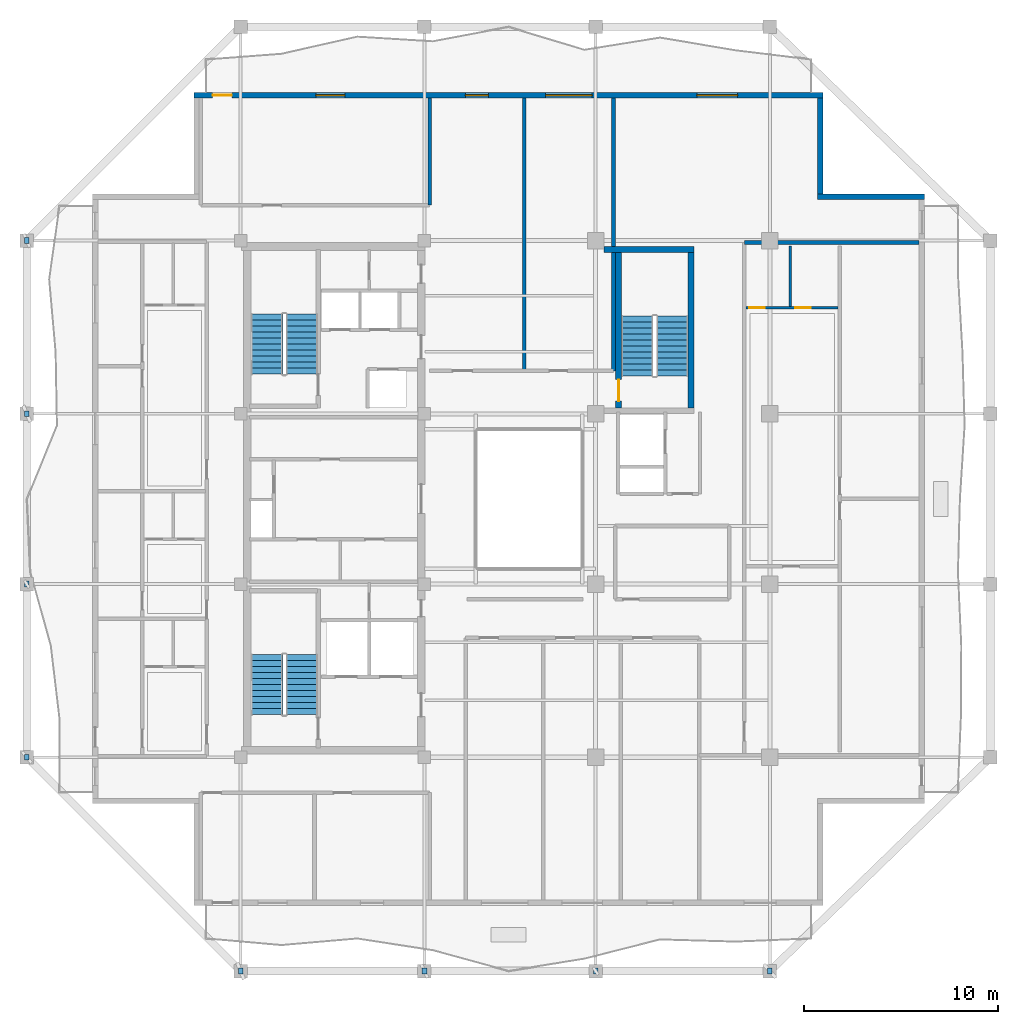
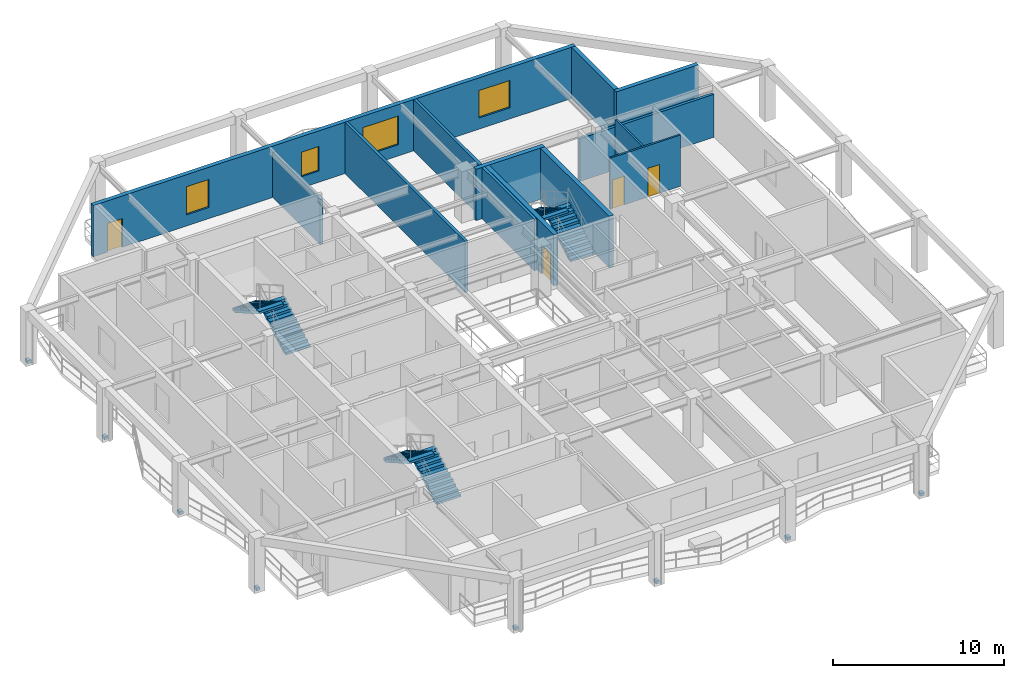
# One storey, part 6 of 11: 12 walls, 8 discrete accessories, 6 stair flights, 4 doors, 4 windows, 8 openings, 3 elements without a shape of their own.
"""IFC4 building model written with IfcOpenShell, lengths in metres."""

import ifcopenshell
import ifcopenshell.guid

model = None  # the IFC model being written
_history = None  # IfcOwnerHistory: only IFC2X3 demands one
_inside = {}  # id of a spatial element -> (the spatial element, [elements in it])
_under = {}  # id of a project, library or spatial element -> (it, [spatial elements below it])
_declared = {}  # id of a project -> (the project, [libraries it declares])
_typed = {}  # id of a type object -> (the type object, [elements of that type])
_made_of = {}  # id of a material, layer set ... -> (it, [elements and type objects made of it])


def new_model(schema):
    """Start an empty IFC model of exactly this schema.

    Asked for "IFC4X3", IfcOpenShell would pick the latest addendum, in which some entities
    have other attributes; the version numbers below select the first issue.
    IFC2X3 requires an IfcOwnerHistory on every rooted entity: one is made here for all.
    """
    global model, _history
    if schema == "IFC4X3":
        model = ifcopenshell.file(schema_version=(4, 3, 0, 0))
    else:
        model = ifcopenshell.file(schema=schema)
    _inside.clear()
    _under.clear()
    _declared.clear()
    _typed.clear()
    _made_of.clear()
    _history = None
    if model.schema == "IFC2X3":
        org = make("IfcOrganization", Name="unknown")
        user = make(
            "IfcPersonAndOrganization",
            ThePerson=make("IfcPerson", FamilyName="unknown"),
            TheOrganization=org,
        )
        app = make(
            "IfcApplication",
            ApplicationDeveloper=org,
            Version="unknown",
            ApplicationFullName="unknown",
            ApplicationIdentifier="unknown",
        )
        _history = make(
            "IfcOwnerHistory",
            OwningUser=user,
            OwningApplication=app,
            ChangeAction="ADDED",
            CreationDate=0,
        )
    return model


def make(cls, **values):
    """One entity of the class cls with the attributes given. An attribute that is None is left unset."""
    return model.create_entity(
        cls, **{name: value for name, value in values.items() if value is not None}
    )


def rooted(cls, **values):
    """An entity with a GlobalId (a new one), such as an element, a storey or a relation."""
    return make(cls, GlobalId=ifcopenshell.guid.new(), OwnerHistory=_history, **values)


def si_unit(unit_type, name, prefix=None):
    """IfcSIUnit, for example si_unit("LENGTHUNIT", "METRE", prefix="MILLI")."""
    return make("IfcSIUnit", UnitType=unit_type, Prefix=prefix, Name=name)


def assignment(units):
    """IfcUnitAssignment: the units of a project."""
    return None if units is None else make("IfcUnitAssignment", Units=units)


def point(xyz):
    """IfcCartesianPoint."""
    return None if xyz is None else make("IfcCartesianPoint", Coordinates=xyz)


def direction(xyz):
    """IfcDirection."""
    return None if xyz is None else make("IfcDirection", DirectionRatios=xyz)


def frame(location, z_axis=None, x_axis=None):
    """IfcAxis2Placement3D, a coordinate frame: its origin and axes. An axis left out is left unset."""
    return make(
        "IfcAxis2Placement3D",
        Location=point(location),
        Axis=direction(z_axis),
        RefDirection=direction(x_axis),
    )


def frame_2d(location, x_axis=None):
    """IfcAxis2Placement2D, a coordinate frame in the plane: its origin and x axis."""
    return make(
        "IfcAxis2Placement2D", Location=point(location), RefDirection=direction(x_axis)
    )


def origin():
    """The frame at (0, 0, 0) with its axes left unset."""
    return frame((0.0, 0.0, 0.0))


def origin_2d():
    """The frame at (0, 0) in the plane with its x axis left unset."""
    return frame_2d((0.0, 0.0))


def place(relative_to, where):
    """IfcLocalPlacement: puts the frame where relative to a parent placement (None: the world)."""
    return make(
        "IfcLocalPlacement", PlacementRelTo=relative_to, RelativePlacement=where
    )


def context(
    kind, dimensions, precision=None, world=None, true_north=None, identifier=None
):
    """IfcGeometricRepresentationContext, for example the 3D "Model" context."""
    return make(
        "IfcGeometricRepresentationContext",
        ContextIdentifier=identifier,
        ContextType=kind,
        CoordinateSpaceDimension=dimensions,
        Precision=precision,
        WorldCoordinateSystem=world,
        TrueNorth=true_north,
    )


def subcontext(parent, identifier, kind, view, scale=None):
    """IfcGeometricRepresentationSubContext, for example "Body" below "Model"."""
    return make(
        "IfcGeometricRepresentationSubContext",
        ContextIdentifier=identifier,
        ContextType=kind,
        ParentContext=parent,
        TargetScale=scale,
        TargetView=view,
    )


def project(units=None, contexts=None):
    """IfcProject with its units and contexts."""
    return rooted(
        "IfcProject",
        Name="project",
        RepresentationContexts=contexts,
        UnitsInContext=assignment(units),
    )


def spatial(cls, under=None, at=None, **own):
    """A site, building, storey or space (cls), placed at a placement, below another one or the project."""
    s = rooted(cls, ObjectPlacement=at, **own)
    if under is not None:
        _under.setdefault(under.id(), (under, []))[1].append(s)
    return s


def polyline(points):
    """IfcPolyline through the points."""
    return make("IfcPolyline", Points=[point(p) for p in points])


def profile(cls, at=None, kind="AREA", **sizes):
    """A parametric profile (cls). Its sizes go by their IFC names, for example OverallWidth=200.0."""
    return make(cls, ProfileType=kind, Position=at, **sizes)


def rectangle(**sizes):
    """IfcRectangleProfileDef."""
    return profile("IfcRectangleProfileDef", **sizes)


def outline(outer, holes=None, kind="AREA"):
    """IfcArbitraryClosedProfileDef: a profile drawn as a closed curve; with holes, ...WithVoids."""
    if holes is None:
        return make("IfcArbitraryClosedProfileDef", ProfileType=kind, OuterCurve=outer)
    return make(
        "IfcArbitraryProfileDefWithVoids",
        ProfileType=kind,
        OuterCurve=outer,
        InnerCurves=holes,
    )


def extrude(swept, where, along, depth):
    """IfcExtrudedAreaSolid: the profile swept, set in the frame where, extruded along a direction by depth."""
    return make(
        "IfcExtrudedAreaSolid",
        SweptArea=swept,
        Position=where,
        ExtrudedDirection=direction(along),
        Depth=depth,
    )


def shape(context_of_items, identifier, shape_type, items):
    """IfcShapeRepresentation: the items that make up one representation, for example the "Body"."""
    return make(
        "IfcShapeRepresentation",
        ContextOfItems=context_of_items,
        RepresentationIdentifier=identifier,
        RepresentationType=shape_type,
        Items=items,
    )


def material(Name=None, Category=None):
    """IfcMaterial."""
    return make("IfcMaterial", Name=Name, Category=Category)


def layer(
    of_material, thickness, ventilated=None, Name=None, Category=None, Priority=None
):
    """IfcMaterialLayer: one layer of a wall or slab, of a material (None: an air gap)."""
    return make(
        "IfcMaterialLayer",
        Material=of_material,
        LayerThickness=thickness,
        IsVentilated=ventilated,
        Name=Name,
        Category=Category,
        Priority=Priority,
    )


def layer_set(layers, Name=None):
    """IfcMaterialLayerSet."""
    return make("IfcMaterialLayerSet", MaterialLayers=layers, LayerSetName=Name)


def made_of(thing, what):
    """Note that an element or type object is made of a material, layer set ...; save() writes the relation."""
    if what is not None:
        _made_of.setdefault(what.id(), (what, []))[1].append(thing)
    return thing


def type_object(cls, material=None, **own):
    """A type object (cls), such as IfcWallType, which elements share."""
    return made_of(rooted(cls, **own), material)


def element(
    cls,
    number,
    at=None,
    inside=None,
    cuts=None,
    type_object=None,
    material=None,
    context=None,
    identifier="Body",
    shape_type=None,
    held_by="IfcProductDefinitionShape",
    body=None,
    shapes=None,
    **own,
):
    """One element of the class cls, such as IfcWall. Its Tag is "e" and its number.

    at: its placement. inside: the storey or other place that contains it. cuts: it is an
    opening in that element (IfcRelVoidsElement). A single representation is given by context,
    identifier, shape_type and body (its items); several are given by shapes. held_by: the class
    of the entity that holds the representations. save() writes the other relations.
    """
    e = rooted(cls, Tag="e%d" % number, ObjectPlacement=at, **own)
    if body is not None:
        shapes = [shape(context, identifier, shape_type, body)]
    if shapes is not None:
        e.Representation = make(held_by, Representations=shapes)
    if inside is not None:
        _inside.setdefault(inside.id(), (inside, []))[1].append(e)
    if cuts is not None:
        rooted(
            "IfcRelVoidsElement", RelatingBuildingElement=cuts, RelatedOpeningElement=e
        )
    if type_object is not None:
        _typed.setdefault(type_object.id(), (type_object, []))[1].append(e)
    return made_of(e, material)


def fill(opening, filler):
    """IfcRelFillsElement: the door or window that sits in an opening."""
    return rooted(
        "IfcRelFillsElement",
        RelatingOpeningElement=opening,
        RelatedBuildingElement=filler,
    )


def aggregate(whole, parts):
    """IfcRelAggregates: a whole, such as a stair, and the parts it consists of."""
    return rooted("IfcRelAggregates", RelatingObject=whole, RelatedObjects=parts)


def save(model, path):
    """Write the relations noted so far, then the file.

    IfcRelAggregates (storeys below a building ...), IfcRelContainedInSpatialStructure (elements
    in a storey), IfcRelDefinesByType, IfcRelAssociatesMaterial and IfcRelDeclares: one each for
    every whole, place, type object, material and project.
    """
    for whole, parts in _under.values():
        aggregate(whole, parts)
    for where, things in _inside.values():
        rooted(
            "IfcRelContainedInSpatialStructure",
            RelatedElements=things,
            RelatingStructure=where,
        )
    for kind, things in _typed.values():
        rooted("IfcRelDefinesByType", RelatedObjects=things, RelatingType=kind)
    for what, things in _made_of.values():
        rooted("IfcRelAssociatesMaterial", RelatedObjects=things, RelatingMaterial=what)
    for by, libraries in _declared.values():
        rooted("IfcRelDeclares", RelatingContext=by, RelatedDefinitions=libraries)
    model.write(path)


model = new_model("IFC4")

# Units and contexts
model_context = context("Model", 3, precision=1e-05, world=origin(), true_north=direction((0.0, 1.0)))
body_context = subcontext(model_context, "Body", "Model", "MODEL_VIEW")
ifc_project = project(units=[si_unit("LENGTHUNIT", "METRE"), si_unit("AREAUNIT", "SQUARE_METRE"), si_unit("VOLUMEUNIT", "CUBIC_METRE"), si_unit("PLANEANGLEUNIT", "RADIAN"), si_unit("MASSUNIT", "GRAM", prefix="KILO")], contexts=[model_context])

# Site, building, storey
site_placement = place(None, origin())
site = spatial("IfcSite", under=ifc_project, at=site_placement, CompositionType="ELEMENT")
building_placement = place(site_placement, origin())
building = spatial("IfcBuilding", under=site, at=building_placement, Name="Kundavana Baori Tower", CompositionType="ELEMENT")
storey_placement = place(building_placement, frame((0.0, 0.0, 260.89990234375)))
storey = spatial("IfcBuildingStorey", under=building, at=storey_placement, Name="L64", CompositionType="ELEMENT", Elevation=260.89990234375)

# Walls
ifc_material_1 = material(Name="Red-Buff Dholpur Sandstone Cladding on Concrete C40/50", Category="masonry")
ifc_layer_1 = layer(ifc_material_1, 0.280029296875, Name="WL-EXT-SAND-280")
ifc_layer_set_1 = layer_set([ifc_layer_1], Name="Red-Buff Dholpur Sandstone Cladding on Concrete C40/50")
wall_type_1 = type_object("IfcWallType", Name="WL-EXT-SAND-280", PredefinedType="STANDARD", material=ifc_layer_set_1)
wall_1_placement = place(storey_placement, frame((50.800048828125, 44.2099609375, 0.0), z_axis=(0.0, 0.0, 1.0), x_axis=(-1.0, 0.0, 0.0)))
element("IfcWall", 1, at=wall_1_placement, inside=storey, type_object=wall_type_1, Name="L64 Exterior Insulated Facade Wall 05", PredefinedType="STANDARD", context=body_context, shape_type="SweptSolid", body=[
    extrude(rectangle(XDim=5.530029296875, YDim=0.280029296875, at=frame_2d((2.76513671875, 0.0))), origin(), (0.0, 0.0, 1.0), 3.66015625),
])
wall_2_placement = place(storey_placement, frame((45.409912109375, 44.35009765625, 0.0), z_axis=(0.0, 0.0, 1.0), x_axis=(0.0, 1.0, 0.0)))
element("IfcWall", 2, at=wall_2_placement, inside=storey, type_object=wall_type_1, Name="L64 Exterior Insulated Facade Wall 06", PredefinedType="STANDARD", context=body_context, shape_type="SweptSolid", body=[
    extrude(rectangle(XDim=4.969970703125, YDim=0.280029296875, at=frame_2d((2.48486328125, 0.0))), origin(), (0.0, 0.0, 1.0), 3.66015625),
])

# Wall, openings, door, windows
wall_3_placement = place(storey_placement, frame((45.550048828125, 49.4599609375, 0.0), z_axis=(0.0, 0.0, 1.0), x_axis=(-1.0, 0.0, 0.0)))
wall_3 = element("IfcWall", 3, at=wall_3_placement, inside=storey, type_object=wall_type_1, Name="L64 Exterior Insulated Facade Wall 07", PredefinedType="STANDARD", context=body_context, shape_type="SweptSolid", body=[
    extrude(rectangle(XDim=32.5, YDim=0.280029296875, at=frame_2d((16.25, 0.0))), origin(), (0.0, 0.0, 1.0), 3.66015625),
])
opening_1_placement = place(wall_3_placement, frame((30.550048828125, 0.0, 0.0)))
opening_1 = element("IfcOpeningElement", 4, at=opening_1_placement, cuts=wall_3, Name="Opening BD-1", PredefinedType="OPENING", context=body_context, shape_type="SweptSolid", body=[
    extrude(rectangle(XDim=1.0, YDim=2.050048828125, at=frame_2d((0.5, 1.02490234375))), frame((0.0, 0.14990234375, 0.0), z_axis=(0.0, -1.0, 0.0), x_axis=(1.0, 0.0, 0.0)), (0.0, 0.0, 1.0), 0.300048828125),
])
opening_2_placement = place(wall_3_placement, frame((24.715087890625, 0.0, 0.800048828125)))
opening_2 = element("IfcOpeningElement", 5, at=opening_2_placement, cuts=wall_3, Name="Opening W-02", PredefinedType="OPENING", context=body_context, shape_type="SweptSolid", body=[
    extrude(rectangle(XDim=1.5, YDim=2.0, at=frame_2d((0.75, 1.0))), frame((0.0, 0.14990234375, 0.0), z_axis=(0.0, -1.0, 0.0), x_axis=(1.0, 0.0, 0.0)), (0.0, 0.0, 1.0), 0.300048828125),
])
opening_3_placement = place(wall_3_placement, frame((17.2900390625, 0.0, 0.800048828125)))
opening_3 = element("IfcOpeningElement", 6, at=opening_3_placement, cuts=wall_3, Name="Opening W-03", PredefinedType="OPENING", context=body_context, shape_type="SweptSolid", body=[
    extrude(rectangle(XDim=1.199951171875, YDim=1.75, at=frame_2d((0.60009765625, 0.875))), frame((0.0, 0.14990234375, 0.0), z_axis=(0.0, -1.0, 0.0), x_axis=(1.0, 0.0, 0.0)), (0.0, 0.0, 1.0), 0.300048828125),
])
opening_4_placement = place(wall_3_placement, frame((11.93994140625, 0.0, 0.800048828125)))
opening_4 = element("IfcOpeningElement", 7, at=opening_4_placement, cuts=wall_3, Name="Opening W-04", PredefinedType="OPENING", context=body_context, shape_type="SweptSolid", body=[
    extrude(rectangle(XDim=2.39990234375, YDim=2.050048828125, at=frame_2d((1.199951171875, 1.02490234375))), frame((0.0, 0.14990234375, 0.0), z_axis=(0.0, -1.0, 0.0), x_axis=(1.0, 0.0, 0.0)), (0.0, 0.0, 1.0), 0.300048828125),
])
opening_5_placement = place(wall_3_placement, frame((4.419921875, 0.0, 0.800048828125)))
opening_5 = element("IfcOpeningElement", 8, at=opening_5_placement, cuts=wall_3, Name="Opening W-05", PredefinedType="OPENING", context=body_context, shape_type="SweptSolid", body=[
    extrude(rectangle(XDim=2.10009765625, YDim=1.949951171875, at=frame_2d((1.050048828125, 0.97509765625))), frame((0.0, 0.14990234375, 0.0), z_axis=(0.0, -1.0, 0.0), x_axis=(1.0, 0.0, 0.0)), (0.0, 0.0, 1.0), 0.300048828125),
])
ifc_material_2 = material(Name="Architectural Patinated Bronze Metalwork")
door_type_1 = type_object("IfcDoorType", Name="DR-EXT-LOG-1000", OperationType="NOTDEFINED", PredefinedType="DOOR", material=ifc_material_2)
door_1_placement = place(opening_1_placement, frame((1.0, 0.0, 0.0), z_axis=(0.0, 0.0, 1.0), x_axis=(-1.0, 0.0, 0.0)))
door_1 = element("IfcDoor", 9, at=door_1_placement, inside=storey, type_object=door_type_1, Name="L64 Loggia Balcony Access Door N", OperationType="SINGLE_SWING_LEFT", OverallHeight=2.050048828125, OverallWidth=1.0, PredefinedType="DOOR", context=body_context, shape_type="SweptSolid", body=[
    extrude(rectangle(XDim=1.0, YDim=2.050048828125, at=frame_2d((0.5, 1.02490234375))), frame((0.0, 0.02490234375, 0.0), z_axis=(0.0, -1.0, 0.0), x_axis=(1.0, 0.0, 0.0)), (0.0, 0.0, 1.0), 0.050048828125),
])
fill(opening_1, door_1)
ifc_material_3 = material(Name="Double-Glazed Solar-Control Low-E Insulated Glass", Category="glass")
window_type_1 = type_object("IfcWindowType", Name="WIN-LOG-1200x1750", PartitioningType="SINGLE_PANEL", PredefinedType="WINDOW", material=ifc_material_3)
window_1_placement = place(opening_3_placement, origin())
window_1 = element("IfcWindow", 10, at=window_1_placement, inside=storey, type_object=window_type_1, Name="L64 Recessed Loggia Window N-2", OverallHeight=1.75, OverallWidth=1.199951171875, PartitioningType="SINGLE_PANEL", PredefinedType="WINDOW", context=body_context, shape_type="SweptSolid", body=[
    extrude(rectangle(XDim=1.199951171875, YDim=1.75, at=frame_2d((0.60009765625, 0.875))), frame((0.0, 0.030029296875, 0.0), z_axis=(0.0, -1.0, 0.0), x_axis=(1.0, 0.0, 0.0)), (0.0, 0.0, 1.0), 0.06005859375),
])
fill(opening_3, window_1)
ifc_material_4 = material(Name="Double-Glazed Solar-Control Low-E Insulated Glass", Category="glass")
window_type_2 = type_object("IfcWindowType", Name="WIN-LOG-1500x2000", PartitioningType="SINGLE_PANEL", PredefinedType="WINDOW", material=ifc_material_4)
window_2_placement = place(opening_2_placement, origin())
window_2 = element("IfcWindow", 11, at=window_2_placement, inside=storey, type_object=window_type_2, Name="L64 Recessed Loggia Window N-1", OverallHeight=2.0, OverallWidth=1.5, PartitioningType="SINGLE_PANEL", PredefinedType="WINDOW", context=body_context, shape_type="SweptSolid", body=[
    extrude(rectangle(XDim=1.5, YDim=2.0, at=frame_2d((0.75, 1.0))), frame((0.0, 0.030029296875, 0.0), z_axis=(0.0, -1.0, 0.0), x_axis=(1.0, 0.0, 0.0)), (0.0, 0.0, 1.0), 0.06005859375),
])
fill(opening_2, window_2)
ifc_material_5 = material(Name="Double-Glazed Solar-Control Low-E Insulated Glass", Category="glass")
window_type_3 = type_object("IfcWindowType", Name="WIN-LOG-2100x1950", PartitioningType="SINGLE_PANEL", PredefinedType="WINDOW", material=ifc_material_5)
window_3_placement = place(opening_5_placement, origin())
window_3 = element("IfcWindow", 12, at=window_3_placement, inside=storey, type_object=window_type_3, Name="L64 Recessed Loggia Window N-4", OverallHeight=1.949951171875, OverallWidth=2.10009765625, PartitioningType="SINGLE_PANEL", PredefinedType="WINDOW", context=body_context, shape_type="SweptSolid", body=[
    extrude(rectangle(XDim=2.10009765625, YDim=1.949951171875, at=frame_2d((1.050048828125, 0.97509765625))), frame((0.0, 0.030029296875, 0.0), z_axis=(0.0, -1.0, 0.0), x_axis=(1.0, 0.0, 0.0)), (0.0, 0.0, 1.0), 0.06005859375),
])
fill(opening_5, window_3)
ifc_material_6 = material(Name="Double-Glazed Solar-Control Low-E Insulated Glass", Category="glass")
window_type_4 = type_object("IfcWindowType", Name="WIN-LOG-2400x2050", PartitioningType="SINGLE_PANEL", PredefinedType="WINDOW", material=ifc_material_6)
window_4_placement = place(opening_4_placement, origin())
window_4 = element("IfcWindow", 13, at=window_4_placement, inside=storey, type_object=window_type_4, Name="L64 Recessed Loggia Window N-3", OverallHeight=2.050048828125, OverallWidth=2.39990234375, PartitioningType="SINGLE_PANEL", PredefinedType="WINDOW", context=body_context, shape_type="SweptSolid", body=[
    extrude(rectangle(XDim=2.39990234375, YDim=2.050048828125, at=frame_2d((1.199951171875, 1.02490234375))), frame((0.0, 0.030029296875, 0.0), z_axis=(0.0, -1.0, 0.0), x_axis=(1.0, 0.0, 0.0)), (0.0, 0.0, 1.0), 0.06005859375),
])
fill(opening_4, window_4)

# Walls
ifc_material_7 = material(Name="Autoclaved Aerated Concrete Blockwork Masonry", Category="masonry")
ifc_layer_2 = layer(ifc_material_7, 0.18505859375, Name="WL-PART-180")
ifc_layer_set_2 = layer_set([ifc_layer_2], Name="Autoclaved Aerated Concrete Blockwork Masonry")
wall_type_2 = type_object("IfcWallType", Name="WL-PART-180", PredefinedType="SOLIDWALL", material=ifc_layer_set_2)
wall_4_placement = place(storey_placement, frame((25.219970703125, 43.780029296875, 0.0), z_axis=(0.0, 0.0, 1.0), x_axis=(0.0, 1.0, 0.0)))
element("IfcWall", 14, at=wall_4_placement, inside=storey, type_object=wall_type_2, Name="WL-L64-RNCE", PredefinedType="SOLIDWALL", context=body_context, shape_type="SweptSolid", body=[
    extrude(rectangle(XDim=5.5400390625, YDim=0.18505859375, at=frame_2d((2.77001953125, 0.0))), origin(), (0.0, 0.0, 1.0), 3.210205078125),
])
wall_5_placement = place(storey_placement, frame((34.719970703125, 35.219970703125, 0.0), z_axis=(0.0, 0.0, 1.0), x_axis=(0.0, 1.0, 0.0)))
element("IfcWall", 15, at=wall_5_placement, inside=storey, type_object=wall_type_2, Name="WL-L64-RNEND", PredefinedType="SOLIDWALL", context=body_context, shape_type="SweptSolid", body=[
    extrude(rectangle(XDim=14.10009765625, YDim=0.18505859375, at=frame_2d((7.050048828125, 0.0))), origin(), (0.0, 0.0, 1.0), 3.66015625),
])
wall_6_placement = place(storey_placement, frame((30.10009765625, 35.300048828125, 0.0), z_axis=(0.0, 0.0, 1.0), x_axis=(0.0, 1.0, 0.0)))
element("IfcWall", 16, at=wall_6_placement, inside=storey, type_object=wall_type_2, Name="WL-L64-RND1", PredefinedType="SOLIDWALL", context=body_context, shape_type="SweptSolid", body=[
    extrude(rectangle(XDim=14.02001953125, YDim=0.18505859375, at=frame_2d((7.010009765625, 0.0))), origin(), (0.0, 0.0, 1.0), 3.66015625),
])
wall_7_placement = place(storey_placement, frame((41.47998046875, 41.85009765625, 0.0), z_axis=(0.0, 0.0, 1.0), x_axis=(1.0, 0.0, 0.0)))
element("IfcWall", 17, at=wall_7_placement, inside=storey, type_object=wall_type_2, Name="WL-L64-REN", PredefinedType="SOLIDWALL", context=body_context, shape_type="SweptSolid", body=[
    extrude(rectangle(XDim=9.0400390625, YDim=0.18505859375, at=frame_2d((4.52001953125, 0.0))), origin(), (0.0, 0.0, 1.0), 3.06005859375),
])
ifc_material_8 = material(Name="Concrete C50/60", Category="concrete")
ifc_layer_3 = layer(ifc_material_8, 0.300048828125, Name="WL-ST3-300")
ifc_layer_set_3 = layer_set([ifc_layer_3], Name="Concrete C50/60")
wall_type_3 = type_object("IfcWallType", Name="WL-ST3-300", PredefinedType="SHEAR", material=ifc_layer_set_3)
wall_8_placement = place(storey_placement, frame((34.22509765625, 41.489990234375, 0.0), z_axis=(0.0, 0.0, 1.0), x_axis=(1.0, 0.0, 0.0)))
element("IfcWall", 18, at=wall_8_placement, inside=storey, type_object=wall_type_3, Name="L64 Stair ST3 North Shear Wall", PredefinedType="SHEAR", context=body_context, shape_type="SweptSolid", body=[
    extrude(rectangle(XDim=4.64501953125, YDim=0.300048828125, at=frame_2d((2.322509765625, 0.0))), origin(), (0.0, 0.0, 1.0), 3.66015625),
])

# Wall, opening, door
wall_9_placement = place(storey_placement, frame((34.97998046875, 33.31005859375, 0.0), z_axis=(0.0, 0.0, 1.0), x_axis=(0.0, 1.0, 0.0)))
wall_9 = element("IfcWall", 19, at=wall_9_placement, inside=storey, type_object=wall_type_3, Name="L64 Stair ST3 West Shear Wall", PredefinedType="SHEAR", context=body_context, shape_type="SweptSolid", body=[
    extrude(rectangle(XDim=8.030029296875, YDim=0.300048828125, at=frame_2d((4.01513671875, 0.0))), origin(), (0.0, 0.0, 1.0), 3.66015625),
])
opening_6_placement = place(wall_9_placement, frame((0.35009765625, 0.0, 0.0)))
opening_6 = element("IfcOpeningElement", 20, at=opening_6_placement, cuts=wall_9, Name="Opening FD-110", PredefinedType="OPENING", context=body_context, shape_type="SweptSolid", body=[
    extrude(rectangle(XDim=1.10009765625, YDim=2.10009765625, at=frame_2d((0.550048828125, 1.050048828125))), frame((0.0, 0.16015625, 0.0), z_axis=(0.0, -1.0, 0.0), x_axis=(1.0, 0.0, 0.0)), (0.0, 0.0, 1.0), 0.320068359375),
])
ifc_material_9 = material(Name="Galvanised Steel Fire-Rated Door Leaf", Category="steel")
door_type_2 = type_object("IfcDoorType", Name="DR-FD120-1100", OperationType="NOTDEFINED", PredefinedType="DOOR", material=ifc_material_9)
door_2_placement = place(opening_6_placement, origin())
door_2 = element("IfcDoor", 21, at=door_2_placement, inside=storey, type_object=door_type_2, Name="DR-L64-ST3-W", OperationType="SINGLE_SWING_LEFT", OverallHeight=2.10009765625, OverallWidth=1.10009765625, PredefinedType="DOOR", context=body_context, shape_type="SweptSolid", body=[
    extrude(rectangle(XDim=1.10009765625, YDim=2.10009765625, at=frame_2d((0.550048828125, 1.050048828125))), frame((0.0, 0.02490234375, 0.0), z_axis=(0.0, -1.0, 0.0), x_axis=(1.0, 0.0, 0.0)), (0.0, 0.0, 1.0), 0.050048828125),
])
fill(opening_6, door_2)

# Wall
wall_10_placement = place(storey_placement, frame((38.719970703125, 33.31005859375, 0.0), z_axis=(0.0, 0.0, 1.0), x_axis=(0.0, 1.0, 0.0)))
element("IfcWall", 22, at=wall_10_placement, inside=storey, type_object=wall_type_3, Name="L64 Stair ST3 East Shear Wall", PredefinedType="SHEAR", context=body_context, shape_type="SweptSolid", body=[
    extrude(rectangle(XDim=8.030029296875, YDim=0.300048828125, at=frame_2d((4.01513671875, 0.0))), origin(), (0.0, 0.0, 1.0), 3.66015625),
])

# Wall, openings, doors
ifc_material_10 = material(Name="Autoclaved Aerated Concrete Blockwork Masonry", Category="masonry")
ifc_layer_4 = layer(ifc_material_10, 0.125, Name="WL-WET-120")
ifc_layer_set_4 = layer_set([ifc_layer_4], Name="Autoclaved Aerated Concrete Blockwork Masonry")
wall_type_4 = type_object("IfcWallType", Name="WL-WET-120", PredefinedType="PLUMBINGWALL", material=ifc_layer_set_4)
wall_11_placement = place(storey_placement, frame((41.580078125, 38.469970703125, 0.0), z_axis=(0.0, 0.0, 1.0), x_axis=(1.0, 0.0, 0.0)))
wall_11 = element("IfcWall", 23, at=wall_11_placement, inside=storey, type_object=wall_type_4, Name="WL-L64-E1-KH", PredefinedType="PLUMBINGWALL", context=body_context, shape_type="SweptSolid", body=[
    extrude(rectangle(XDim=4.747802734375, YDim=0.125, at=frame_2d((2.3740234375, 0.0))), origin(), (0.0, 0.0, 1.0), 3.66015625),
])
opening_7_placement = place(wall_11_placement, frame((0.159912109375, 0.0, 0.0)))
opening_7 = element("IfcOpeningElement", 24, at=opening_7_placement, cuts=wall_11, Name="Opening WD-080", PredefinedType="OPENING", context=body_context, shape_type="SweptSolid", body=[
    extrude(rectangle(XDim=0.800048828125, YDim=2.050048828125, at=frame_2d((0.39990234375, 1.02490234375))), frame((0.0, 0.072509765625, 0.0), z_axis=(0.0, -1.0, 0.0), x_axis=(1.0, 0.0, 0.0)), (0.0, 0.0, 1.0), 0.14501953125),
])
opening_8_placement = place(wall_11_placement, frame((2.5390625, 0.0, 0.0)))
opening_8 = element("IfcOpeningElement", 25, at=opening_8_placement, cuts=wall_11, Name="Opening WD-080", PredefinedType="OPENING", context=body_context, shape_type="SweptSolid", body=[
    extrude(rectangle(XDim=0.800048828125, YDim=2.050048828125, at=frame_2d((0.39990234375, 1.02490234375))), frame((0.0, 0.072509765625, 0.0), z_axis=(0.0, -1.0, 0.0), x_axis=(1.0, 0.0, 0.0)), (0.0, 0.0, 1.0), 0.14501953125),
])
ifc_material_11 = material(Name="Engineered Teak Solid-Core Timber Veneer", Category="wood")
door_type_3 = type_object("IfcDoorType", Name="DR-WET-800", OperationType="NOTDEFINED", PredefinedType="DOOR", material=ifc_material_11)
door_3_placement = place(opening_7_placement, origin())
door_3 = element("IfcDoor", 26, at=door_3_placement, inside=storey, type_object=door_type_3, Name="DR-L64-E1-BT", OperationType="SINGLE_SWING_LEFT", OverallHeight=2.050048828125, OverallWidth=0.800048828125, PredefinedType="DOOR", context=body_context, shape_type="SweptSolid", body=[
    extrude(rectangle(XDim=0.800048828125, YDim=2.050048828125, at=frame_2d((0.39990234375, 1.02490234375))), frame((0.0, 0.02490234375, 0.0), z_axis=(0.0, -1.0, 0.0), x_axis=(1.0, 0.0, 0.0)), (0.0, 0.0, 1.0), 0.050048828125),
])
fill(opening_7, door_3)
door_4_placement = place(opening_8_placement, origin())
door_4 = element("IfcDoor", 27, at=door_4_placement, inside=storey, type_object=door_type_3, Name="DR-L64-E1-KT", OperationType="SINGLE_SWING_RIGHT", OverallHeight=2.050048828125, OverallWidth=0.800048828125, PredefinedType="DOOR", context=body_context, shape_type="SweptSolid", body=[
    extrude(rectangle(XDim=0.800048828125, YDim=2.050048828125, at=frame_2d((0.39990234375, 1.02490234375))), frame((0.0, 0.02490234375, 0.0), z_axis=(0.0, -1.0, 0.0), x_axis=(1.0, 0.0, 0.0)), (0.0, 0.0, 1.0), 0.050048828125),
])
fill(opening_8, door_4)

# Wall
wall_12_placement = place(storey_placement, frame((43.85888671875, 38.550048828125, 0.0), z_axis=(0.0, 0.0, 1.0), x_axis=(0.0, 1.0, 0.0)))
element("IfcWall", 28, at=wall_12_placement, inside=storey, type_object=wall_type_4, Name="WL-L64-E1-BV", PredefinedType="PLUMBINGWALL", context=body_context, shape_type="SweptSolid", body=[
    extrude(rectangle(XDim=3.119873046875, YDim=0.125, at=frame_2d((1.56005859375, 0.0))), origin(), (0.0, 0.0, 1.0), 3.66015625),
])

# Stair, stair flights
ifc_material_12 = material(Name="Concrete C40/50", Category="concrete")
stair_type = type_object("IfcStairType", Name="STR-DOG-1650", PredefinedType="HALF_TURN_STAIR", material=ifc_material_12)
stair_1_placement = place(storey_placement, origin())
stair_1 = element("IfcStair", 29, at=stair_1_placement, inside=storey, type_object=stair_type, Name="L64 Protected Exit Stair ST1", PredefinedType="HALF_TURN_STAIR")
ifc_material_13 = material(Name="Concrete C40/50", Category="concrete")
stair_flight_type = type_object("IfcStairFlightType", Name="SFL-RC-1650", PredefinedType="STRAIGHT", material=ifc_material_13)
stair_flight_1_placement = place(storey_placement, frame((18.614990234375, 17.449951171875, 0.0), z_axis=(0.0, 0.0, 1.0), x_axis=(0.0, 1.0, 0.0)))
stair_flight_1 = element("IfcStairFlight", 30, at=stair_flight_1_placement, type_object=stair_flight_type, Name="ST1 flight 1", NumberOfRisers=11, NumberOfTreads=10, PredefinedType="STRAIGHT", RiserHeight=0.177272727, TreadLength=0.31, context=body_context, shape_type="SweptSolid", body=[
    extrude(outline(polyline([(0.0, 0.0), (0.0, 0.17724609375), (0.31005859375, 0.17724609375), (0.31005859375, 0.3544921875), (0.6201171875, 0.3544921875), (0.6201171875, 0.53173828125), (0.929931640625, 0.53173828125), (0.929931640625, 0.708984375), (1.239990234375, 0.708984375), (1.239990234375, 0.886474609375), (1.550048828125, 0.886474609375), (1.550048828125, 1.063720703125), (1.860107421875, 1.063720703125), (1.860107421875, 1.240966796875), (2.169921875, 1.240966796875), (2.169921875, 1.418212890625), (2.47998046875, 1.418212890625), (2.47998046875, 1.595458984375), (2.7900390625, 1.595458984375), (2.7900390625, 1.772705078125), (3.10009765625, 1.772705078125), (3.10009765625, 1.949951171875), (3.10009765625, 1.60009765625), (0.302001953125, 0.0), (0.0, 0.0)])), frame((0.0, 0.824951171875, 0.0), z_axis=(0.0, -1.0, 0.0), x_axis=(1.0, 0.0, 0.0)), (0.0, 0.0, 1.0), 1.64990234375),
])
stair_flight_2_placement = place(storey_placement, frame((16.804931640625, 20.550048828125, 1.9501953125), z_axis=(0.0, 0.0, 1.0), x_axis=(0.0, -1.0, 0.0)))
stair_flight_2 = element("IfcStairFlight", 31, at=stair_flight_2_placement, type_object=stair_flight_type, Name="ST1 flight 2", NumberOfRisers=11, NumberOfTreads=10, PredefinedType="STRAIGHT", RiserHeight=0.177272727, TreadLength=0.31, context=body_context, shape_type="SweptSolid", body=[
    extrude(outline(polyline([(0.0, 0.0), (0.0, 0.17724609375), (0.31005859375, 0.17724609375), (0.31005859375, 0.3544921875), (0.6201171875, 0.3544921875), (0.6201171875, 0.53173828125), (0.929931640625, 0.53173828125), (0.929931640625, 0.708984375), (1.239990234375, 0.708984375), (1.239990234375, 0.886474609375), (1.550048828125, 0.886474609375), (1.550048828125, 1.063720703125), (1.860107421875, 1.063720703125), (1.860107421875, 1.240966796875), (2.169921875, 1.240966796875), (2.169921875, 1.418212890625), (2.47998046875, 1.418212890625), (2.47998046875, 1.595458984375), (2.7900390625, 1.595458984375), (2.7900390625, 1.772705078125), (3.10009765625, 1.772705078125), (3.10009765625, 1.949951171875), (3.10009765625, 1.60009765625), (0.302001953125, 0.0), (0.0, 0.0)])), frame((0.0, 0.824951171875, 0.0), z_axis=(0.0, -1.0, 0.0), x_axis=(1.0, 0.0, 0.0)), (0.0, 0.0, 1.0), 1.64990234375),
])
aggregate(stair_1, [stair_flight_1, stair_flight_2])

stair_2_placement = place(storey_placement, origin())
stair_2 = element("IfcStair", 32, at=stair_2_placement, inside=storey, type_object=stair_type, Name="L64 Protected Exit Stair ST2", PredefinedType="HALF_TURN_STAIR")
stair_flight_3_placement = place(storey_placement, frame((18.614990234375, 35.050048828125, 0.0), z_axis=(0.0, 0.0, 1.0), x_axis=(0.0, 1.0, 0.0)))
stair_flight_3 = element("IfcStairFlight", 33, at=stair_flight_3_placement, type_object=stair_flight_type, Name="ST2 flight 1", NumberOfRisers=11, NumberOfTreads=10, PredefinedType="STRAIGHT", RiserHeight=0.177272727, TreadLength=0.31, context=body_context, shape_type="SweptSolid", body=[
    extrude(outline(polyline([(0.0, 0.0), (0.0, 0.17724609375), (0.31005859375, 0.17724609375), (0.31005859375, 0.3544921875), (0.6201171875, 0.3544921875), (0.6201171875, 0.53173828125), (0.929931640625, 0.53173828125), (0.929931640625, 0.708984375), (1.239990234375, 0.708984375), (1.239990234375, 0.886474609375), (1.550048828125, 0.886474609375), (1.550048828125, 1.063720703125), (1.860107421875, 1.063720703125), (1.860107421875, 1.240966796875), (2.169921875, 1.240966796875), (2.169921875, 1.418212890625), (2.47998046875, 1.418212890625), (2.47998046875, 1.595458984375), (2.7900390625, 1.595458984375), (2.7900390625, 1.772705078125), (3.10009765625, 1.772705078125), (3.10009765625, 1.949951171875), (3.10009765625, 1.60009765625), (0.302001953125, 0.0), (0.0, 0.0)])), frame((0.0, 0.824951171875, 0.0), z_axis=(0.0, -1.0, 0.0), x_axis=(1.0, 0.0, 0.0)), (0.0, 0.0, 1.0), 1.64990234375),
])
stair_flight_4_placement = place(storey_placement, frame((16.804931640625, 38.14990234375, 1.9501953125), z_axis=(0.0, 0.0, 1.0), x_axis=(0.0, -1.0, 0.0)))
stair_flight_4 = element("IfcStairFlight", 34, at=stair_flight_4_placement, type_object=stair_flight_type, Name="ST2 flight 2", NumberOfRisers=11, NumberOfTreads=10, PredefinedType="STRAIGHT", RiserHeight=0.177272727, TreadLength=0.31, context=body_context, shape_type="SweptSolid", body=[
    extrude(outline(polyline([(0.0, 0.0), (0.0, 0.17724609375), (0.31005859375, 0.17724609375), (0.31005859375, 0.3544921875), (0.6201171875, 0.3544921875), (0.6201171875, 0.53173828125), (0.929931640625, 0.53173828125), (0.929931640625, 0.708984375), (1.239990234375, 0.708984375), (1.239990234375, 0.886474609375), (1.550048828125, 0.886474609375), (1.550048828125, 1.063720703125), (1.860107421875, 1.063720703125), (1.860107421875, 1.240966796875), (2.169921875, 1.240966796875), (2.169921875, 1.418212890625), (2.47998046875, 1.418212890625), (2.47998046875, 1.595458984375), (2.7900390625, 1.595458984375), (2.7900390625, 1.772705078125), (3.10009765625, 1.772705078125), (3.10009765625, 1.949951171875), (3.10009765625, 1.60009765625), (0.302001953125, 0.0), (0.0, 0.0)])), frame((0.0, 0.824951171875, 0.0), z_axis=(0.0, -1.0, 0.0), x_axis=(1.0, 0.0, 0.0)), (0.0, 0.0, 1.0), 1.64990234375),
])
aggregate(stair_2, [stair_flight_3, stair_flight_4])

stair_3_placement = place(storey_placement, origin())
stair_3 = element("IfcStair", 35, at=stair_3_placement, inside=storey, type_object=stair_type, Name="L64 Protected Exit Stair ST3", PredefinedType="HALF_TURN_STAIR")
stair_flight_5_placement = place(storey_placement, frame((37.7548828125, 34.949951171875, 0.0), z_axis=(0.0, 0.0, 1.0), x_axis=(0.0, 1.0, 0.0)))
stair_flight_5 = element("IfcStairFlight", 36, at=stair_flight_5_placement, type_object=stair_flight_type, Name="ST3 flight 1", NumberOfRisers=11, NumberOfTreads=10, PredefinedType="STRAIGHT", RiserHeight=0.177272727, TreadLength=0.31, context=body_context, shape_type="SweptSolid", body=[
    extrude(outline(polyline([(0.0, 0.0), (0.0, 0.17724609375), (0.31005859375, 0.17724609375), (0.31005859375, 0.3544921875), (0.6201171875, 0.3544921875), (0.6201171875, 0.53173828125), (0.929931640625, 0.53173828125), (0.929931640625, 0.708984375), (1.239990234375, 0.708984375), (1.239990234375, 0.886474609375), (1.550048828125, 0.886474609375), (1.550048828125, 1.063720703125), (1.860107421875, 1.063720703125), (1.860107421875, 1.240966796875), (2.169921875, 1.240966796875), (2.169921875, 1.418212890625), (2.47998046875, 1.418212890625), (2.47998046875, 1.595458984375), (2.7900390625, 1.595458984375), (2.7900390625, 1.772705078125), (3.10009765625, 1.772705078125), (3.10009765625, 1.949951171875), (3.10009765625, 1.60009765625), (0.302001953125, 0.0), (0.0, 0.0)])), frame((0.0, 0.824951171875, 0.0), z_axis=(0.0, -1.0, 0.0), x_axis=(1.0, 0.0, 0.0)), (0.0, 0.0, 1.0), 1.64990234375),
])
stair_flight_6_placement = place(storey_placement, frame((35.945068359375, 38.050048828125, 1.9501953125), z_axis=(0.0, 0.0, 1.0), x_axis=(0.0, -1.0, 0.0)))
stair_flight_6 = element("IfcStairFlight", 37, at=stair_flight_6_placement, type_object=stair_flight_type, Name="ST3 flight 2", NumberOfRisers=11, NumberOfTreads=10, PredefinedType="STRAIGHT", RiserHeight=0.177272727, TreadLength=0.31, context=body_context, shape_type="SweptSolid", body=[
    extrude(outline(polyline([(0.0, 0.0), (0.0, 0.17724609375), (0.31005859375, 0.17724609375), (0.31005859375, 0.3544921875), (0.6201171875, 0.3544921875), (0.6201171875, 0.53173828125), (0.929931640625, 0.53173828125), (0.929931640625, 0.708984375), (1.239990234375, 0.708984375), (1.239990234375, 0.886474609375), (1.550048828125, 0.886474609375), (1.550048828125, 1.063720703125), (1.860107421875, 1.063720703125), (1.860107421875, 1.240966796875), (2.169921875, 1.240966796875), (2.169921875, 1.418212890625), (2.47998046875, 1.418212890625), (2.47998046875, 1.595458984375), (2.7900390625, 1.595458984375), (2.7900390625, 1.772705078125), (3.10009765625, 1.772705078125), (3.10009765625, 1.949951171875), (3.10009765625, 1.60009765625), (0.302001953125, 0.0), (0.0, 0.0)])), frame((0.0, 0.824951171875, 0.0), z_axis=(0.0, -1.0, 0.0), x_axis=(1.0, 0.0, 0.0)), (0.0, 0.0, 1.0), 1.64990234375),
])
aggregate(stair_3, [stair_flight_5, stair_flight_6])

# Discrete accessories
ifc_material_14 = material(Name="Structural Steel S355JR", Category="steel")
discrete_accessory_type = type_object("IfcDiscreteAccessoryType", Name="ACC-BRK-FIN", PredefinedType="BRACKET", material=ifc_material_14)
for number, where, z_axis, x_axis, name in (
    (38, (15.449951171875, 4.199951171875, 0.0), (0.0, 0.0, 1.0), (1.0, 0.0, 0.0), "L64 Stainless Fin Anchor Bracket 1"),
    (39, (24.949951171875, 4.199951171875, 0.0), (0.0, 0.0, 1.0), (1.0, 0.0, 0.0), "L64 Stainless Fin Anchor Bracket 2"),
    (40, (33.800048828125, 4.199951171875, 0.0), (0.0, 0.0, 1.0), (1.0, 0.0, 0.0), "L64 Stainless Fin Anchor Bracket 3"),
    (41, (42.800048828125, 4.199951171875, 0.0), (0.0, 0.0, 1.0), (1.0, 0.0, 0.0), "L64 Stainless Fin Anchor Bracket 4"),
    (42, (4.39990234375, 15.25, 0.0), (0.0, 0.0, 1.0), (1.0, 0.0, 0.0), "L64 Stainless Fin Anchor Bracket 5"),
    (43, (4.39990234375, 24.199951171875, 0.0), (0.0, 0.0, 1.0), (1.0, 0.0, 0.0), "L64 Stainless Fin Anchor Bracket 6"),
    (44, (4.39990234375, 33.0, 0.0), (0.0, 0.0, 1.0), (1.0, 0.0, 0.0), "L64 Stainless Fin Anchor Bracket 7"),
    (45, (4.39990234375, 41.949951171875, 0.0), (0.0, 0.0, 1.0), (1.0, 0.0, 0.0), "L64 Stainless Fin Anchor Bracket 8"),
):
    element("IfcDiscreteAccessory", number, at=place(storey_placement, frame(where, z_axis=z_axis, x_axis=x_axis)), inside=storey, type_object=discrete_accessory_type, Name=name, PredefinedType="BRACKET", context=body_context, shape_type="SweptSolid", body=[
        extrude(rectangle(XDim=0.239990234375, YDim=0.300048828125, at=origin_2d()), origin(), (0.0, 0.0, 1.0), 0.219970703125),
    ])

save(model, "model.ifc")
